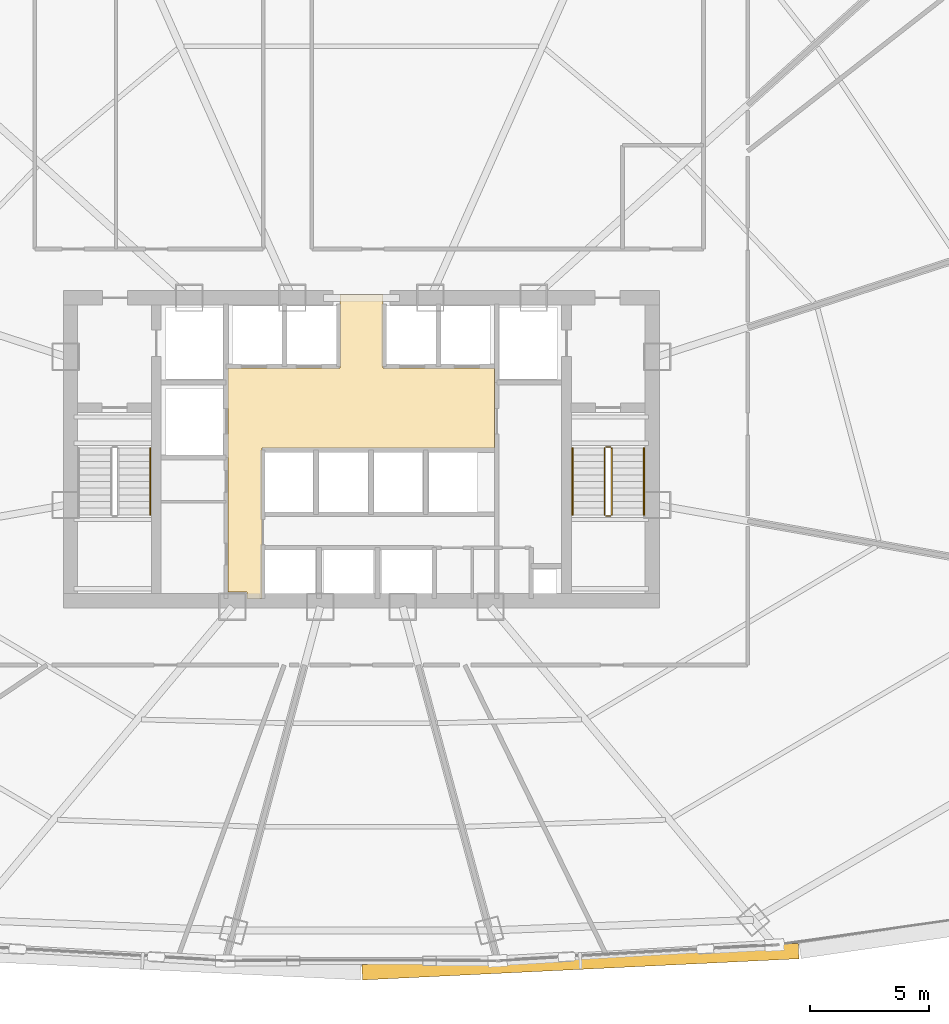
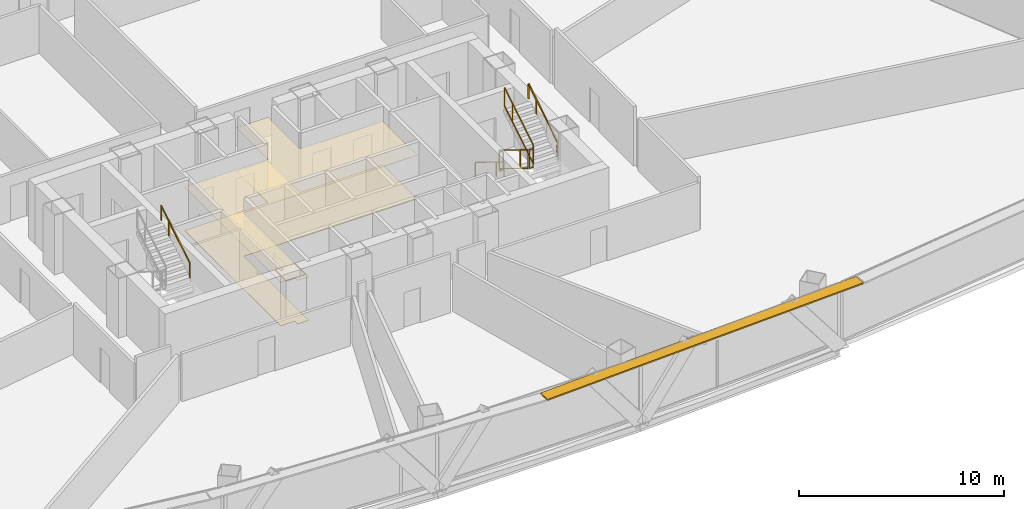
# One storey, part 39 of 41: 7 railings, 2 coverings, 1 shading device.
"""IFC4 building model written with IfcOpenShell, lengths in metres."""

from ifc_helpers import new_model, si_unit, direction, frame, origin, origin_2d, place, context, subcontext, project, spatial, polyline, rectangle, outline, extrude, source, transform, mapped, material, layer, layer_set, type_object, element, save


model = new_model("IFC4")

# Units and contexts
model_context = context("Model", 3, precision=1e-05, world=origin(), true_north=direction((0.0, 1.0)))
body_context = subcontext(model_context, "Body", "Model", "MODEL_VIEW")
ifc_project = project(units=[si_unit("LENGTHUNIT", "METRE"), si_unit("AREAUNIT", "SQUARE_METRE"), si_unit("VOLUMEUNIT", "CUBIC_METRE"), si_unit("PLANEANGLEUNIT", "RADIAN"), si_unit("MASSUNIT", "GRAM", prefix="KILO"), si_unit("THERMODYNAMICTEMPERATUREUNIT", "KELVIN"), si_unit("POWERUNIT", "WATT")], contexts=[model_context])

# Site, building, storey
site_placement = place(None, origin())
site = spatial("IfcSite", under=ifc_project, at=site_placement, CompositionType="ELEMENT")
building_placement = place(site_placement, origin())
building = spatial("IfcBuilding", under=site, at=building_placement, Name="Yunzhuo Pagoda Commons", CompositionType="ELEMENT")
storey_placement = place(building_placement, frame((0.0, 0.0, 111.580078125)))
storey = spatial("IfcBuildingStorey", under=building, at=storey_placement, Name="L28", CompositionType="ELEMENT", Elevation=111.580078125)

# Coverings
ifc_material_1 = material(Name="Mineral fibre acoustic ceiling board")
ifc_layer_1 = layer(ifc_material_1, 0.02490234375)
ifc_layer_set_1 = layer_set([ifc_layer_1], Name="Mineral fibre acoustic ceiling board")
covering_type_1 = type_object("IfcCoveringType", Name="COV-CL1 Ceiling 25", PredefinedType="CEILING", material=ifc_layer_set_1)
covering_1_placement = place(storey_placement, frame((0.0, 0.0, 2.58984375)))
element("IfcCovering", 1, at=covering_1_placement, inside=storey, type_object=covering_type_1, Name="L28 lift lobby acoustic ceiling", PredefinedType="CEILING", context=body_context, shape_type="SweptSolid", body=[
    extrude(outline(polyline([(43.207763671875, 27.85009765625), (43.201904296875, 27.864013671875), (43.187744140625, 27.8701171875), (42.39990234375, 27.8701171875), (42.39990234375, 33.89990234375), (42.39990234375, 37.25), (47.10009765625, 37.25), (47.10009765625, 40.35009765625), (48.89990234375, 40.35009765625), (48.89990234375, 37.25), (53.580078125, 37.25), (53.580078125, 33.89990234375), (43.820068359375, 33.89990234375), (43.820068359375, 27.60009765625), (43.207763671875, 27.60009765625), (43.207763671875, 27.85009765625)])), origin(), (0.0, 0.0, 1.0), 0.025146484375),
])
ifc_material_2 = material(Name="Porcelain ceramic floor tile")
ifc_layer_2 = layer(ifc_material_2, 0.02001953125)
ifc_layer_set_2 = layer_set([ifc_layer_2], Name="Porcelain ceramic floor tile")
covering_type_2 = type_object("IfcCoveringType", Name="COV-FL1 Flooring 20", PredefinedType="FLOORING", material=ifc_layer_set_2)
covering_2_placement = place(storey_placement, origin())
element("IfcCovering", 2, at=covering_2_placement, inside=storey, type_object=covering_type_2, Name="L28 lift lobby flooring", PredefinedType="FLOORING", context=body_context, shape_type="SweptSolid", body=[
    extrude(outline(polyline([(43.207763671875, 27.85009765625), (43.201904296875, 27.864013671875), (43.187744140625, 27.8701171875), (42.39990234375, 27.8701171875), (42.39990234375, 33.89990234375), (42.39990234375, 37.25), (47.10009765625, 37.25), (47.10009765625, 40.35009765625), (48.89990234375, 40.35009765625), (48.89990234375, 37.25), (53.580078125, 37.25), (53.580078125, 33.89990234375), (43.820068359375, 33.89990234375), (43.820068359375, 27.60009765625), (43.207763671875, 27.60009765625), (43.207763671875, 27.85009765625)])), origin(), (0.0, 0.0, 1.0), 0.02001953125),
])

# Railings
ifc_material_3 = material(Name="Anodized aluminium 6063-T6", Category="aluminium")
railing_type_1 = type_object("IfcRailingType", Name="GR-ST2 Stair Well Guardrail 1160", PredefinedType="GUARDRAIL", material=ifc_material_3)
railing_1_placement = place(storey_placement, frame((58.199951171875, 33.89990234375, 0.172607421875)))
element("IfcRailing", 3, at=railing_1_placement, inside=storey, type_object=railing_type_1, Name="L28 ST2 stair guard 1", PredefinedType="GUARDRAIL", context=body_context, shape_type="SweptSolid", body=[
    extrude(rectangle(XDim=0.048095703125, YDim=0.048095703125, at=origin_2d()), frame((0.0, 0.0, 1.1259765625), z_axis=(0.0, -0.851069175582, 0.525053576669), x_axis=(1.0, 0.0, 0.0)), (0.0, 0.0, 1.0), 3.289794921875),
    extrude(rectangle(XDim=0.048095703125, YDim=0.048095703125, at=origin_2d()), frame((0.0, 0.0, 0.02392578125), z_axis=(0.0, -0.851069175582, 0.525053576669), x_axis=(1.0, 0.0, 0.0)), (0.0, 0.0, 1.0), 3.289794921875),
    extrude(rectangle(XDim=0.0419921875, YDim=0.0419921875, at=origin_2d()), origin(), (0.0, 0.0, 1.0), 1.101806640625),
    extrude(rectangle(XDim=0.0419921875, YDim=0.0419921875, at=origin_2d()), frame((0.0, -2.04248046875, 1.260009765625)), (0.0, 0.0, 1.0), 1.101806640625),
    extrude(rectangle(XDim=0.0419921875, YDim=0.0419921875, at=origin_2d()), frame((0.0, -2.7998046875, 1.727294921875)), (0.0, 0.0, 1.0), 1.101806640625),
])
railing_2_placement = place(storey_placement, frame((58.25, 31.050048828125, 1.89990234375)))
element("IfcRailing", 4, at=railing_2_placement, inside=storey, type_object=railing_type_1, Name="L28 ST2 stair guard 2", PredefinedType="GUARDRAIL", context=body_context, shape_type="SweptSolid", body=[
    extrude(rectangle(XDim=0.048095703125, YDim=0.048095703125, at=origin_2d()), frame((0.0, 0.0, 1.1259765625), z_axis=(1.0, 0.0, 0.0), x_axis=(0.0, 1.0, 0.0)), (0.0, 0.0, 1.0), 0.199951171875),
    extrude(rectangle(XDim=0.048095703125, YDim=0.048095703125, at=origin_2d()), frame((0.0, 0.0, 0.02392578125), z_axis=(1.0, 0.0, 0.0), x_axis=(0.0, 1.0, 0.0)), (0.0, 0.0, 1.0), 0.199951171875),
    extrude(rectangle(XDim=0.0419921875, YDim=0.0419921875, at=origin_2d()), origin(), (0.0, 0.0, 1.0), 1.101806640625),
    extrude(rectangle(XDim=0.0419921875, YDim=0.0419921875, at=origin_2d()), frame((0.199951171875, 0.0, 0.0)), (0.0, 0.0, 1.0), 1.101806640625),
])
railing_3_placement = place(storey_placement, frame((58.5, 31.10009765625, 2.07275390625)))
element("IfcRailing", 5, at=railing_3_placement, inside=storey, type_object=railing_type_1, Name="L28 ST2 stair guard 3", PredefinedType="GUARDRAIL", context=body_context, shape_type="SweptSolid", body=[
    extrude(rectangle(XDim=0.048095703125, YDim=0.048095703125, at=origin_2d()), frame((0.0, 0.0, 1.1259765625), z_axis=(0.0, 0.851102337555, 0.524999820009), x_axis=(-1.0, 0.0, 0.0)), (0.0, 0.0, 1.0), 3.28955078125),
    extrude(rectangle(XDim=0.048095703125, YDim=0.048095703125, at=origin_2d()), frame((0.0, 0.0, 0.02392578125), z_axis=(0.0, 0.851102337555, 0.524999820009), x_axis=(-1.0, 0.0, 0.0)), (0.0, 0.0, 1.0), 3.28955078125),
    extrude(rectangle(XDim=0.0419921875, YDim=0.0419921875, at=origin_2d()), origin(), (0.0, 0.0, 1.0), 1.101806640625),
    extrude(rectangle(XDim=0.0419921875, YDim=0.0419921875, at=origin_2d()), frame((0.0, 2.042724609375, 1.260009765625)), (0.0, 0.0, 1.0), 1.101806640625),
    extrude(rectangle(XDim=0.0419921875, YDim=0.0419921875, at=origin_2d()), frame((0.0, 2.7998046875, 1.72705078125)), (0.0, 0.0, 1.0), 1.101806640625),
])
railing_4_placement = place(storey_placement, frame((58.25, 33.949951171875, 0.0)))
element("IfcRailing", 6, at=railing_4_placement, inside=storey, type_object=railing_type_1, Name="L28 ST2 stair guard 4", PredefinedType="GUARDRAIL", context=body_context, shape_type="SweptSolid", body=[
    extrude(rectangle(XDim=0.048095703125, YDim=0.048095703125, at=origin_2d()), frame((0.0, 0.0, 1.1259765625), z_axis=(1.0, 0.0, 0.0), x_axis=(0.0, 1.0, 0.0)), (0.0, 0.0, 1.0), 0.199951171875),
    extrude(rectangle(XDim=0.048095703125, YDim=0.048095703125, at=origin_2d()), frame((0.0, 0.0, 0.02392578125), z_axis=(1.0, 0.0, 0.0), x_axis=(0.0, 1.0, 0.0)), (0.0, 0.0, 1.0), 0.199951171875),
    extrude(rectangle(XDim=0.0419921875, YDim=0.0419921875, at=origin_2d()), origin(), (0.0, 0.0, 1.0), 1.101806640625),
    extrude(rectangle(XDim=0.0419921875, YDim=0.0419921875, at=origin_2d()), frame((0.199951171875, 0.0, 0.0)), (0.0, 0.0, 1.0), 1.101806640625),
])
railing_type_2 = type_object("IfcRailingType", Name="HR-ST1 Stair Handrail 900", PredefinedType="HANDRAIL", material=ifc_material_3)
railing_5_placement = place(storey_placement, frame((39.14990234375, 31.10009765625, 2.07275390625)))
element("IfcRailing", 7, at=railing_5_placement, inside=storey, type_object=railing_type_2, Name="L28 ST1 stair handrail 2", PredefinedType="HANDRAIL", context=body_context, shape_type="SweptSolid", body=[
    extrude(rectangle(XDim=0.048095703125, YDim=0.048095703125, at=origin_2d()), frame((0.0, 0.0, 0.8759765625), z_axis=(0.0, 0.851102337555, 0.524999820009), x_axis=(-1.0, 0.0, 0.0)), (0.0, 0.0, 1.0), 3.28955078125),
    extrude(rectangle(XDim=0.0419921875, YDim=0.0419921875, at=origin_2d()), origin(), (0.0, 0.0, 1.0), 0.851806640625),
    extrude(rectangle(XDim=0.0419921875, YDim=0.0419921875, at=origin_2d()), frame((0.0, 2.042724609375, 1.260009765625)), (0.0, 0.0, 1.0), 0.851806640625),
    extrude(rectangle(XDim=0.0419921875, YDim=0.0419921875, at=origin_2d()), frame((0.0, 2.7998046875, 1.72705078125)), (0.0, 0.0, 1.0), 0.851806640625),
])
railing_type_3 = type_object("IfcRailingType", Name="HR-ST2 Stair Handrail 900", PredefinedType="HANDRAIL", material=ifc_material_3)
railing_6_placement = place(storey_placement, frame((56.85009765625, 33.89990234375, 0.172607421875)))
element("IfcRailing", 8, at=railing_6_placement, inside=storey, type_object=railing_type_3, Name="L28 ST2 stair handrail 1", PredefinedType="HANDRAIL", context=body_context, shape_type="SweptSolid", body=[
    extrude(rectangle(XDim=0.048095703125, YDim=0.048095703125, at=origin_2d()), frame((0.0, 0.0, 0.8759765625), z_axis=(0.0, -0.851069175582, 0.525053576669), x_axis=(1.0, 0.0, 0.0)), (0.0, 0.0, 1.0), 3.289794921875),
    extrude(rectangle(XDim=0.0419921875, YDim=0.0419921875, at=origin_2d()), origin(), (0.0, 0.0, 1.0), 0.851806640625),
    extrude(rectangle(XDim=0.0419921875, YDim=0.0419921875, at=origin_2d()), frame((0.0, -2.04248046875, 1.260009765625)), (0.0, 0.0, 1.0), 0.851806640625),
    extrude(rectangle(XDim=0.0419921875, YDim=0.0419921875, at=origin_2d()), frame((0.0, -2.7998046875, 1.727294921875)), (0.0, 0.0, 1.0), 0.851806640625),
])
railing_7_placement = place(storey_placement, frame((59.85009765625, 31.10009765625, 2.07275390625)))
element("IfcRailing", 9, at=railing_7_placement, inside=storey, type_object=railing_type_3, Name="L28 ST2 stair handrail 2", PredefinedType="HANDRAIL", context=body_context, shape_type="SweptSolid", body=[
    extrude(rectangle(XDim=0.048095703125, YDim=0.048095703125, at=origin_2d()), frame((0.0, 0.0, 0.8759765625), z_axis=(0.0, 0.851102337555, 0.524999820009), x_axis=(-1.0, 0.0, 0.0)), (0.0, 0.0, 1.0), 3.28955078125),
    extrude(rectangle(XDim=0.0419921875, YDim=0.0419921875, at=origin_2d()), origin(), (0.0, 0.0, 1.0), 0.851806640625),
    extrude(rectangle(XDim=0.0419921875, YDim=0.0419921875, at=origin_2d()), frame((0.0, 2.042724609375, 1.260009765625)), (0.0, 0.0, 1.0), 0.851806640625),
    extrude(rectangle(XDim=0.0419921875, YDim=0.0419921875, at=origin_2d()), frame((0.0, 2.7998046875, 1.72705078125)), (0.0, 0.0, 1.0), 0.851806640625),
])

# Shading device
ifc_layer_3 = layer(ifc_material_3, 0.080078125)
ifc_layer_set_3 = layer_set([ifc_layer_3], Name="Anodized aluminium 6063-T6")
shading_device_type = type_object("IfcShadingDeviceType", Name="SH-SUN1 Pagoda Horizontal Sunshade Eave 650", PredefinedType="USERDEFINED", material=ifc_layer_set_3)
shared_shape = source(origin(), body_context, "Body", "SweptSolid", [
    extrude(rectangle(XDim=18.32470703125, YDim=0.64990234375, at=origin_2d()), origin(), (0.0, 0.0, 1.0), 0.080078125),
])
shading_device_placement = place(storey_placement, frame((57.18310546875, 12.361572265625, 3.4599609375), z_axis=(0.0, 0.0, 1.0), x_axis=(0.998818043775, 0.04860571396, 0.0)))
element("IfcShadingDevice", 10, at=shading_device_placement, inside=storey, type_object=shading_device_type, Name="L28 horizontal pagoda sunshade eave F1.3", ObjectType="SUNSHADE", PredefinedType="USERDEFINED", context=body_context, shape_type="MappedRepresentation", body=[
    mapped(shared_shape, transform((0.0, 0.0, 0.0), scale=1.0)),
])

save(model, "model.ifc")
